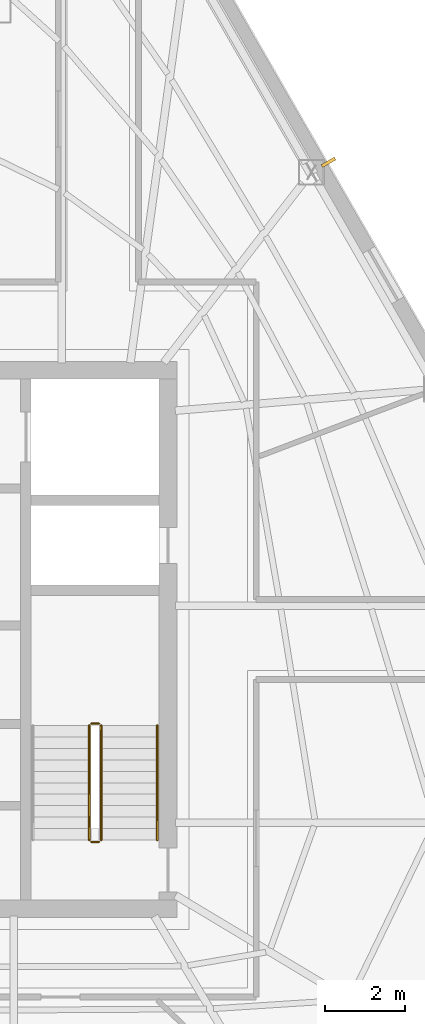
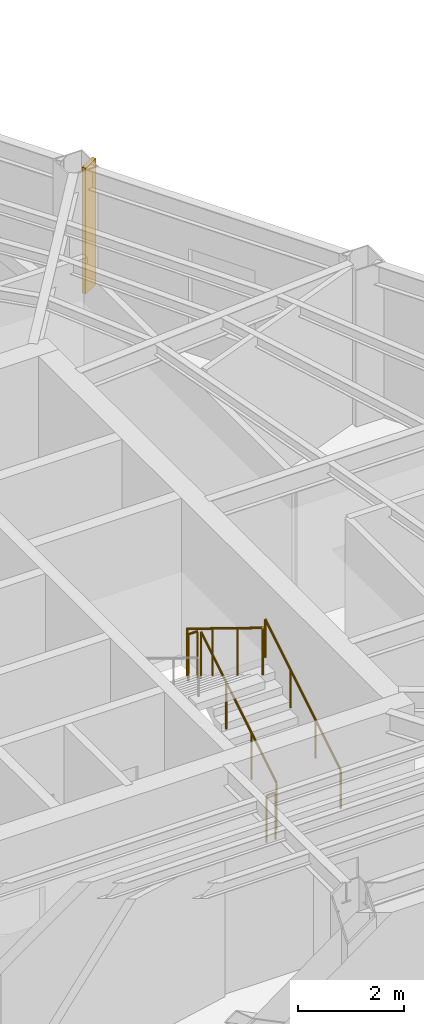
# One storey, part 14 of 14: 5 railings, 1 shading device.
"""IFC4 building model written with IfcOpenShell, lengths in metres."""

from ifc_helpers import new_model, si_unit, direction, frame, origin, origin_2d, place, context, subcontext, project, spatial, rectangle, circle, extrude, material, layer, layer_set, type_object, element, save


model = new_model("IFC4")

# Units and contexts
model_context = context("Model", 3, precision=1e-05, world=origin(), true_north=direction((0.0, 1.0)))
body_context = subcontext(model_context, "Body", "Model", "MODEL_VIEW")
ifc_project = project(units=[si_unit("LENGTHUNIT", "METRE"), si_unit("AREAUNIT", "SQUARE_METRE"), si_unit("VOLUMEUNIT", "CUBIC_METRE"), si_unit("PLANEANGLEUNIT", "RADIAN"), si_unit("MASSUNIT", "GRAM", prefix="KILO")], contexts=[model_context])

# Site, building, storey
site_placement = place(None, origin())
site = spatial("IfcSite", under=ifc_project, at=site_placement, CompositionType="ELEMENT")
building_placement = place(site_placement, origin())
building = spatial("IfcBuilding", under=site, at=building_placement, Name="Kavelnor Concourse Tower", CompositionType="ELEMENT")
storey_placement = place(building_placement, frame((0.0, 0.0, 215.050048828125)))
storey = spatial("IfcBuildingStorey", under=building, at=storey_placement, Name="L54", CompositionType="ELEMENT", Elevation=215.050048828125)

# Railings
ifc_material_1 = material(Name="Steel Grade 350", Category="steel")
railing_type_1 = type_object("IfcRailingType", Name="RLG-GUARD-1100", PredefinedType="GUARDRAIL", material=ifc_material_1)
railing_1_placement = place(storey_placement, frame((46.070068359375, 11.10009765625, 0.175048828125)))
element("IfcRailing", 1, at=railing_1_placement, inside=storey, type_object=railing_type_1, Name="L54 ST2 stair guard 1", PredefinedType="GUARDRAIL", context=body_context, shape_type="SweptSolid", body=[
    extrude(circle(Radius=0.02392578125, at=origin_2d()), frame((0.0, 0.0, 1.076171875), z_axis=(0.0, 0.852159232446, 0.523282564737), x_axis=(-1.0, 0.0, 0.0)), (0.0, 0.0, 1.0), 3.34423828125),
    extrude(circle(Radius=0.02099609375, at=origin_2d()), origin(), (0.0, 0.0, 1.0), 1.052001953125),
    extrude(circle(Radius=0.02099609375, at=origin_2d()), frame((0.0, 0.949951171875, 0.583251953125)), (0.0, 0.0, 1.0), 1.052001953125),
    extrude(circle(Radius=0.02099609375, at=origin_2d()), frame((0.0, 1.89990234375, 1.166748046875)), (0.0, 0.0, 1.0), 1.052001953125),
    extrude(circle(Radius=0.02099609375, at=origin_2d()), frame((0.0, 2.849853515625, 1.75)), (0.0, 0.0, 1.0), 1.052001953125),
])
railing_2_placement = place(storey_placement, frame((46.02001953125, 14.0, 1.925048828125)))
element("IfcRailing", 2, at=railing_2_placement, inside=storey, type_object=railing_type_1, Name="L54 ST2 stair guard 2", PredefinedType="GUARDRAIL", context=body_context, shape_type="SweptSolid", body=[
    extrude(circle(Radius=0.02392578125, at=origin_2d()), frame((0.0, 0.0, 1.076171875), z_axis=(-1.0, 0.0, 0.0), x_axis=(0.0, -1.0, 0.0)), (0.0, 0.0, 1.0), 0.199951171875),
    extrude(circle(Radius=0.02099609375, at=origin_2d()), origin(), (0.0, 0.0, 1.0), 1.052001953125),
    extrude(circle(Radius=0.02099609375, at=origin_2d()), frame((-0.199951171875, 0.0, 0.0)), (0.0, 0.0, 1.0), 1.052001953125),
])
railing_3_placement = place(storey_placement, frame((45.77001953125, 13.949951171875, 2.099853515625)))
element("IfcRailing", 3, at=railing_3_placement, inside=storey, type_object=railing_type_1, Name="L54 ST2 stair guard 3", PredefinedType="GUARDRAIL", context=body_context, shape_type="SweptSolid", body=[
    extrude(circle(Radius=0.02392578125, at=origin_2d()), frame((0.0, 0.0, 1.076171875), z_axis=(0.0, -0.852159232446, 0.523282564737), x_axis=(1.0, 0.0, 0.0)), (0.0, 0.0, 1.0), 3.34423828125),
    extrude(circle(Radius=0.02099609375, at=origin_2d()), origin(), (0.0, 0.0, 1.0), 1.052001953125),
    extrude(circle(Radius=0.02099609375, at=origin_2d()), frame((0.0, -0.949951171875, 0.583251953125)), (0.0, 0.0, 1.0), 1.052001953125),
    extrude(circle(Radius=0.02099609375, at=origin_2d()), frame((0.0, -1.89990234375, 1.166748046875)), (0.0, 0.0, 1.0), 1.052001953125),
    extrude(circle(Radius=0.02099609375, at=origin_2d()), frame((0.0, -2.849853515625, 1.75)), (0.0, 0.0, 1.0), 1.052001953125),
])
railing_4_placement = place(storey_placement, frame((46.02001953125, 11.050048828125, 0.0)))
element("IfcRailing", 4, at=railing_4_placement, inside=storey, type_object=railing_type_1, Name="L54 ST2 stair guard 4", PredefinedType="GUARDRAIL", context=body_context, shape_type="SweptSolid", body=[
    extrude(circle(Radius=0.02392578125, at=origin_2d()), frame((0.0, 0.0, 1.076171875), z_axis=(-1.0, 0.0, 0.0), x_axis=(0.0, -1.0, 0.0)), (0.0, 0.0, 1.0), 0.199951171875),
    extrude(circle(Radius=0.02099609375, at=origin_2d()), origin(), (0.0, 0.0, 1.0), 1.052001953125),
    extrude(circle(Radius=0.02099609375, at=origin_2d()), frame((-0.199951171875, 0.0, 0.0)), (0.0, 0.0, 1.0), 1.052001953125),
])
railing_type_2 = type_object("IfcRailingType", Name="RLG-HANDRAIL-900", PredefinedType="HANDRAIL", material=ifc_material_1)
railing_5_placement = place(storey_placement, frame((47.469970703125, 11.10009765625, 0.175048828125)))
element("IfcRailing", 5, at=railing_5_placement, inside=storey, type_object=railing_type_2, Name="L54 ST2 stair handrail 1", PredefinedType="HANDRAIL", context=body_context, shape_type="SweptSolid", body=[
    extrude(circle(Radius=0.02392578125, at=origin_2d()), frame((0.0, 0.0, 0.8759765625), z_axis=(0.0, 0.852159232446, 0.523282564737), x_axis=(-1.0, 0.0, 0.0)), (0.0, 0.0, 1.0), 3.34423828125),
    extrude(circle(Radius=0.02099609375, at=origin_2d()), origin(), (0.0, 0.0, 1.0), 0.851806640625),
    extrude(circle(Radius=0.02099609375, at=origin_2d()), frame((0.0, 0.949951171875, 0.583251953125)), (0.0, 0.0, 1.0), 0.851806640625),
    extrude(circle(Radius=0.02099609375, at=origin_2d()), frame((0.0, 1.89990234375, 1.166748046875)), (0.0, 0.0, 1.0), 0.851806640625),
    extrude(circle(Radius=0.02099609375, at=origin_2d()), frame((0.0, 2.849853515625, 1.75)), (0.0, 0.0, 1.0), 0.851806640625),
])

# Shading device
ifc_material_2 = material(Name="Architectural bronze-anodised aluminium", Category="aluminium")
ifc_layer = layer(ifc_material_2, 0.06005859375, Name="Architectural bronze-anodised aluminium")
ifc_layer_set = layer_set([ifc_layer], Name="Architectural bronze-anodised aluminium")
shading_device_type = type_object("IfcShadingDeviceType", Name="SHD-SOLAR-FIN", PredefinedType="JALOUSIE", material=ifc_layer_set)
shading_device_placement = place(storey_placement, frame((51.741943359375, 28.00439453125, 0.39990234375), z_axis=(0.0, 0.0, 1.0), x_axis=(0.866635622545, 0.498941577478, 0.0)))
element("IfcShadingDevice", 6, at=shading_device_placement, inside=storey, type_object=shading_device_type, Name="L54 Bronze Pier Solar Fin F2", PredefinedType="JALOUSIE", context=body_context, shape_type="SweptSolid", body=[
    extrude(rectangle(XDim=0.3798828125, YDim=0.080078125, at=origin_2d()), origin(), (0.0, 0.0, 1.0), 2.89990234375),
])

save(model, "model.ifc")
